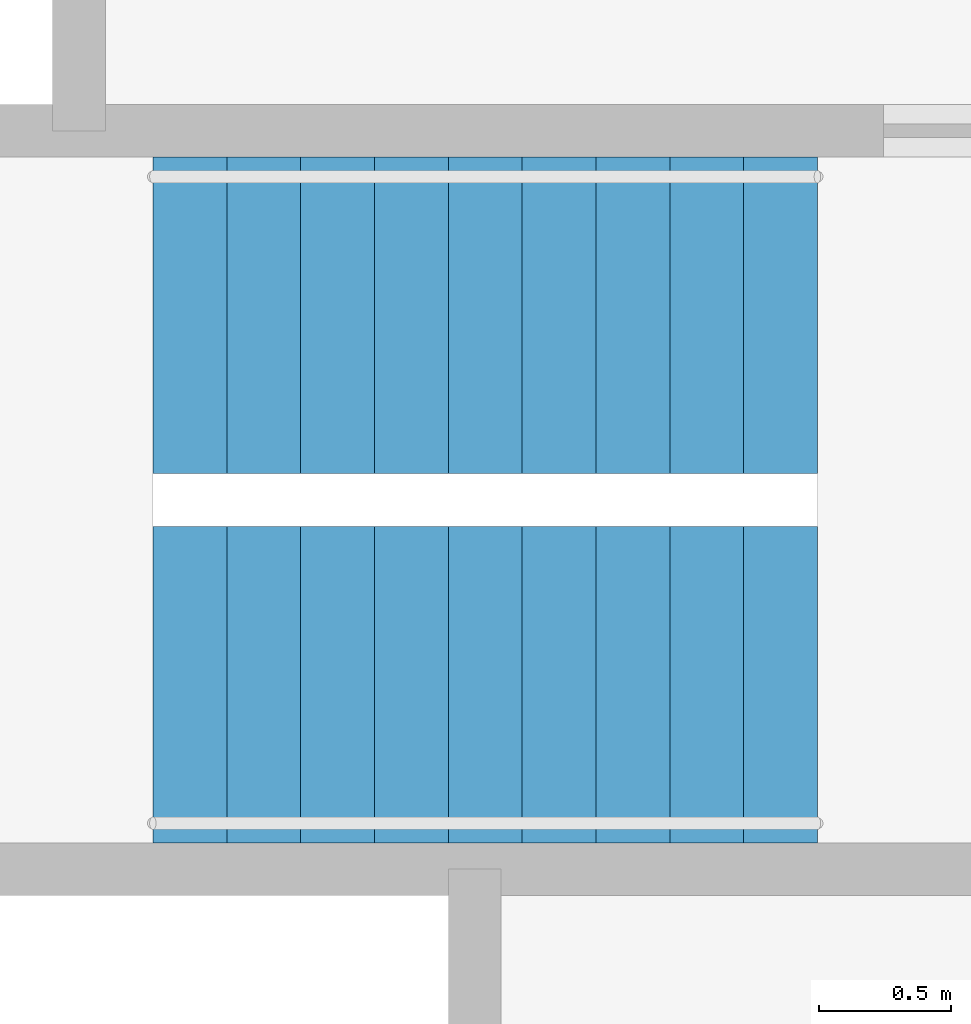
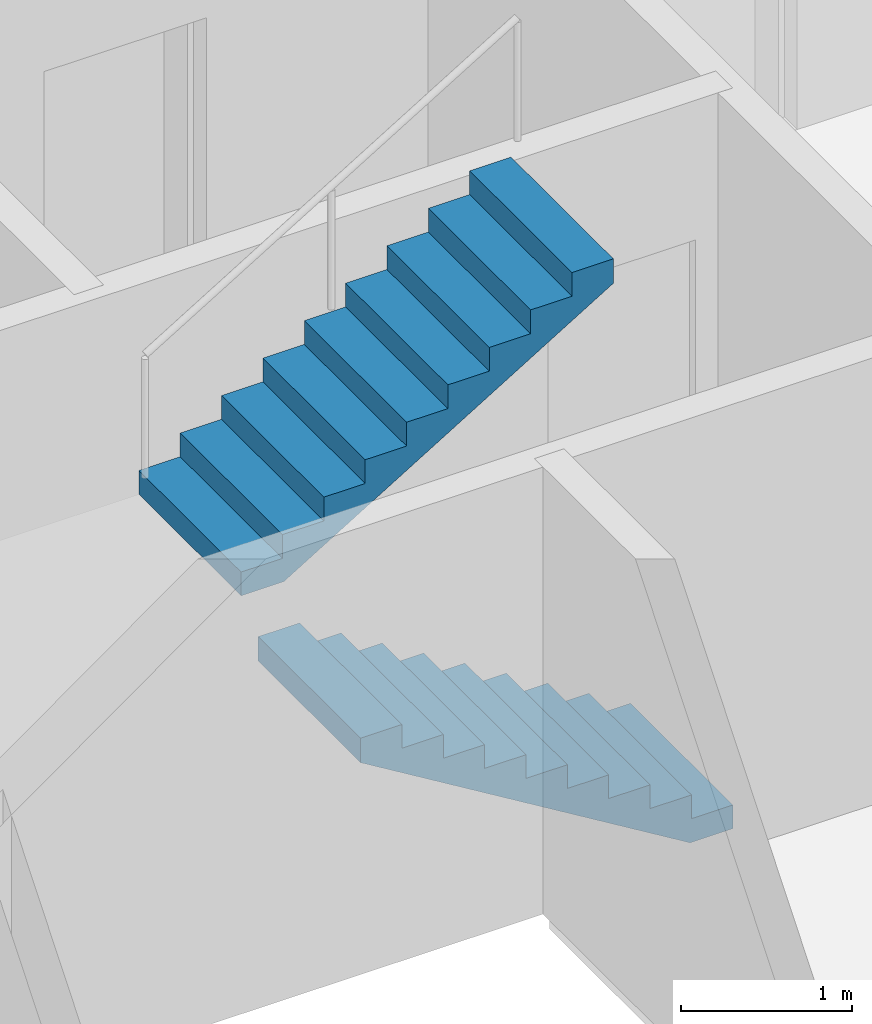
# One storey, part 16 of 19: 2 stair flights, 1 element without a shape of its own.
"""IFC4 building model written with IfcOpenShell, lengths in metres."""

from ifc_helpers import new_model, si_unit, direction, frame, origin, place, context, subcontext, project, spatial, polyline, outline, extrude, material, type_object, element, aggregate, save


model = new_model("IFC4")

# Units and contexts
model_context = context("Model", 3, precision=1e-05, world=origin(), true_north=direction((0.0, 1.0)))
body_context = subcontext(model_context, "Body", "Model", "MODEL_VIEW")
ifc_project = project(units=[si_unit("LENGTHUNIT", "METRE"), si_unit("AREAUNIT", "SQUARE_METRE"), si_unit("VOLUMEUNIT", "CUBIC_METRE"), si_unit("PLANEANGLEUNIT", "RADIAN"), si_unit("MASSUNIT", "GRAM", prefix="KILO")], contexts=[model_context])

# Site, building, storey
site_placement = place(None, origin())
site = spatial("IfcSite", under=ifc_project, at=site_placement, CompositionType="ELEMENT")
building_placement = place(site_placement, origin())
building = spatial("IfcBuilding", under=site, at=building_placement, Name="Fenwick Lantern Interchange", CompositionType="ELEMENT")
storey_placement = place(building_placement, frame((0.0, 0.0, 273.0)))
storey = spatial("IfcBuildingStorey", under=building, at=storey_placement, Name="L65", CompositionType="ELEMENT", Elevation=273.0)

# Stair, stair flights
ifc_material = material(Name="Precast concrete f'c 35 MPa", Category="concrete")
stair_type = type_object("IfcStairType", Name="EXIT STAIR 1200", PredefinedType="HALF_TURN_STAIR", material=ifc_material)
stair_placement = place(storey_placement, origin())
stair = element("IfcStair", 1, at=stair_placement, inside=storey, type_object=stair_type, Name="Exit stair ST2", PredefinedType="HALF_TURN_STAIR")
stair_flight_type = type_object("IfcStairFlightType", Name="STAIR FLIGHT 1200", PredefinedType="STRAIGHT", material=ifc_material)
stair_flight_1_placement = place(storey_placement, frame((28.199951171875, 30.699951171875, 0.0), z_axis=(0.0, 0.0, 1.0), x_axis=(-1.0, 0.0, 0.0)))
stair_flight_1 = element("IfcStairFlight", 2, at=stair_flight_1_placement, type_object=stair_flight_type, Name="ST2 flight 1", NumberOfRisers=10, NumberOfTreads=9, PredefinedType="STRAIGHT", RiserHeight=0.17, TreadLength=0.28, context=body_context, shape_type="SweptSolid", body=[
    extrude(outline(polyline([(0.0, 0.0), (0.0, 0.169921875), (0.280029296875, 0.169921875), (0.280029296875, 0.340087890625), (0.56005859375, 0.340087890625), (0.56005859375, 0.510009765625), (0.840087890625, 0.510009765625), (0.840087890625, 0.679931640625), (1.1201171875, 0.679931640625), (1.1201171875, 0.85009765625), (1.39990234375, 0.85009765625), (1.39990234375, 1.02001953125), (1.679931640625, 1.02001953125), (1.679931640625, 1.18994140625), (1.9599609375, 1.18994140625), (1.9599609375, 1.360107421875), (2.239990234375, 1.360107421875), (2.239990234375, 1.530029296875), (2.52001953125, 1.530029296875), (2.52001953125, 1.699951171875), (2.52001953125, 1.354736328125), (0.288818359375, 0.0), (0.0, 0.0)])), frame((0.0, 0.60009765625, 0.0), z_axis=(0.0, -1.0, 0.0), x_axis=(1.0, 0.0, 0.0)), (0.0, 0.0, 1.0), 1.199951171875),
])
stair_flight_2_placement = place(storey_placement, frame((25.679931640625, 32.10009765625, 1.699951171875), z_axis=(0.0, 0.0, 1.0), x_axis=(1.0, 0.0, 0.0)))
stair_flight_2 = element("IfcStairFlight", 3, at=stair_flight_2_placement, type_object=stair_flight_type, Name="ST2 flight 2", NumberOfRisers=10, NumberOfTreads=9, PredefinedType="STRAIGHT", RiserHeight=0.17, TreadLength=0.28, context=body_context, shape_type="SweptSolid", body=[
    extrude(outline(polyline([(0.0, 0.0), (0.0, 0.169921875), (0.280029296875, 0.169921875), (0.280029296875, 0.340087890625), (0.56005859375, 0.340087890625), (0.56005859375, 0.510009765625), (0.840087890625, 0.510009765625), (0.840087890625, 0.679931640625), (1.1201171875, 0.679931640625), (1.1201171875, 0.85009765625), (1.39990234375, 0.85009765625), (1.39990234375, 1.02001953125), (1.679931640625, 1.02001953125), (1.679931640625, 1.18994140625), (1.9599609375, 1.18994140625), (1.9599609375, 1.360107421875), (2.239990234375, 1.360107421875), (2.239990234375, 1.530029296875), (2.52001953125, 1.530029296875), (2.52001953125, 1.699951171875), (2.52001953125, 1.354736328125), (0.288818359375, 0.0), (0.0, 0.0)])), frame((0.0, 0.60009765625, 0.0), z_axis=(0.0, -1.0, 0.0), x_axis=(1.0, 0.0, 0.0)), (0.0, 0.0, 1.0), 1.199951171875),
])
aggregate(stair, [stair_flight_1, stair_flight_2])

save(model, "model.ifc")
